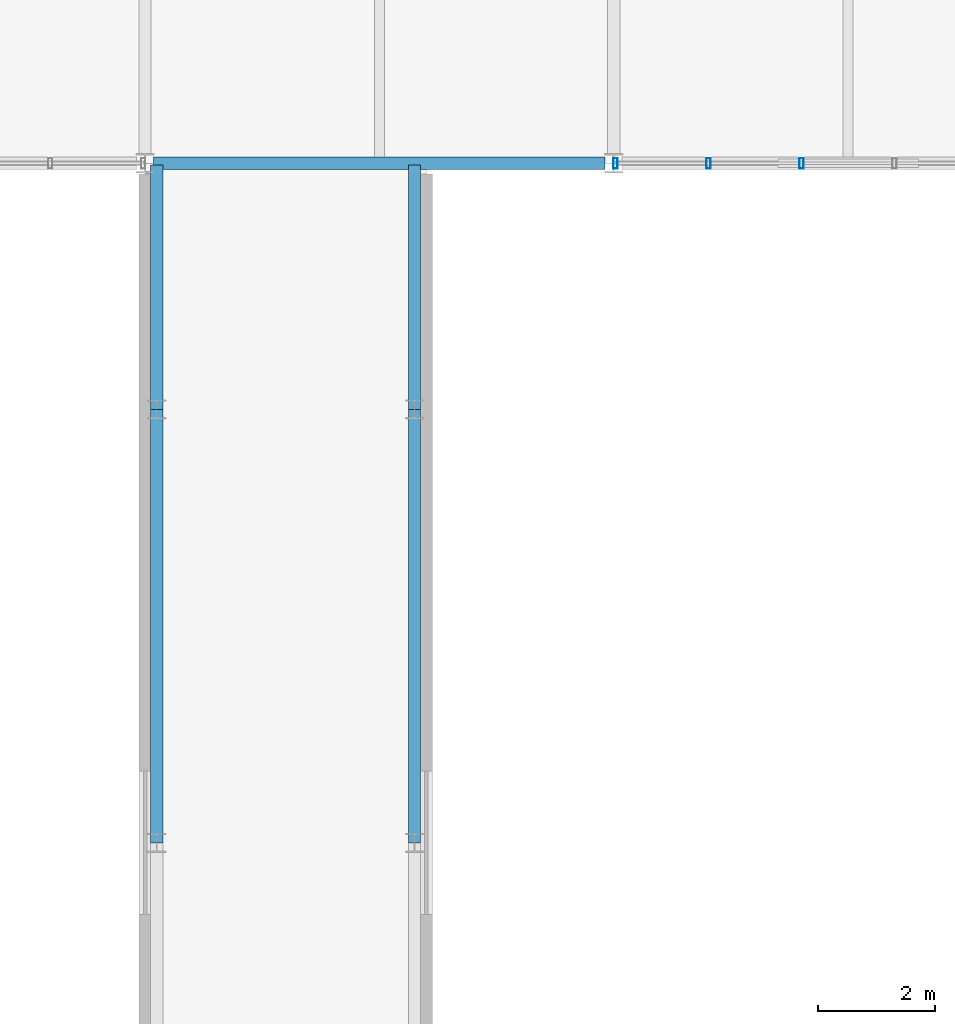
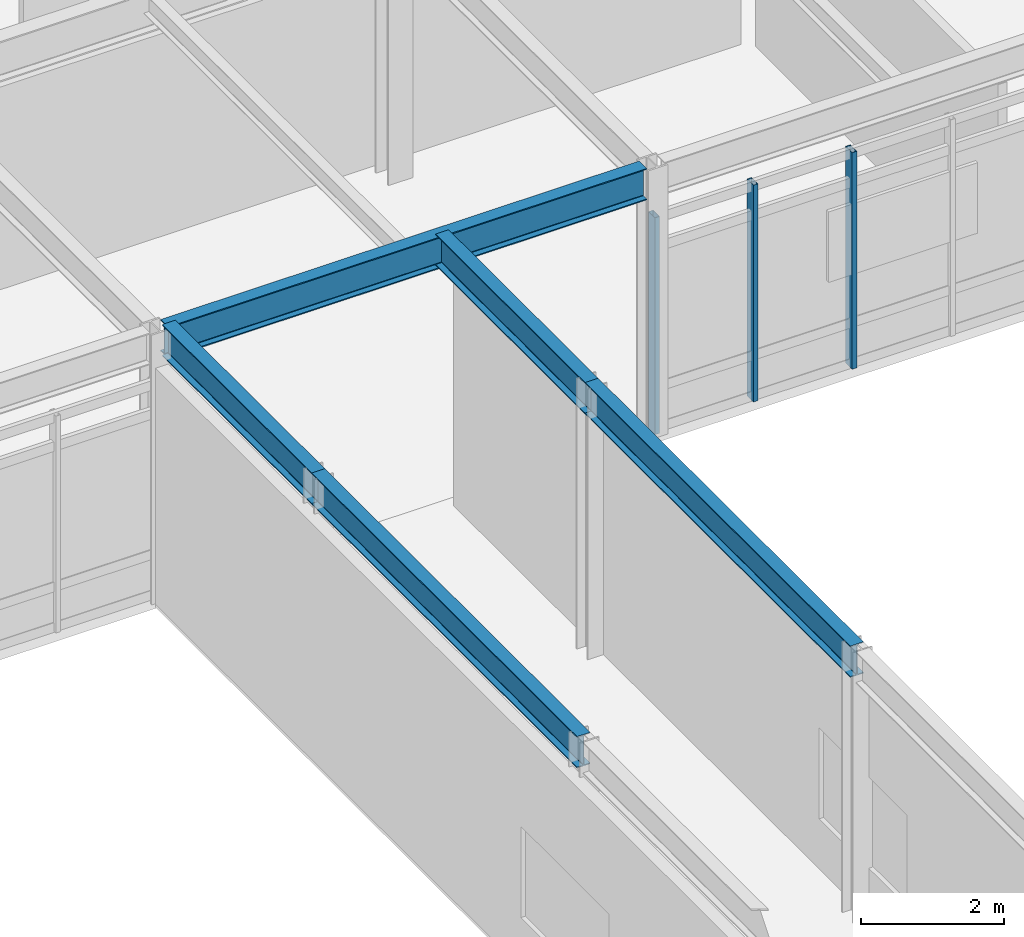
# One storey, part 32 of 104: 5 beams, 3 members, 1 element without a shape of its own.
"""IFC4 building model written with IfcOpenShell, lengths in metres."""

from ifc_helpers import new_model, si_unit, direction, frame, origin, origin_2d, place, context, subcontext, project, spatial, hollow_rectangle, i_section, extrude, material, material_profile, profile_set, type_object, element, aggregate, save


model = new_model("IFC4")

# Units and contexts
model_context = context("Model", 3, precision=1e-05, world=origin(), true_north=direction((0.0, 1.0)))
body_context = subcontext(model_context, "Body", "Model", "MODEL_VIEW")
ifc_project = project(units=[si_unit("LENGTHUNIT", "METRE"), si_unit("AREAUNIT", "SQUARE_METRE"), si_unit("VOLUMEUNIT", "CUBIC_METRE"), si_unit("PLANEANGLEUNIT", "RADIAN"), si_unit("MASSUNIT", "GRAM", prefix="KILO")], contexts=[model_context])

# Site, building, storey
site_placement = place(None, origin())
site = spatial("IfcSite", under=ifc_project, at=site_placement, CompositionType="ELEMENT")
building_placement = place(site_placement, origin())
building = spatial("IfcBuilding", under=site, at=building_placement, Name="Zulena Civic Courthouse", CompositionType="ELEMENT")
storey_placement = place(building_placement, frame((0.0, 0.0, 10.800048828125)))
storey = spatial("IfcBuildingStorey", under=building, at=storey_placement, Name="L02", CompositionType="ELEMENT", Elevation=10.800048828125)

# Beams
ifc_material_1 = material(Name="Steel ASTM A992 Grade 50", Category="steel")
ifc_material_profile_1 = material_profile(ifc_material_1, i_section(OverallWidth=0.2099609375, OverallDepth=0.537109375, WebThickness=0.010986328125, FlangeThickness=0.017333984375, FilletRadius=0.0126953125, at=origin_2d()), Name="W21X68")
ifc_profile_set_1 = profile_set([ifc_material_profile_1], Name="Steel ASTM A992 Grade 50")
beam_type_1 = type_object("IfcBeamType", Name="BridgeGirder_W21X68", PredefinedType="BEAM", material=ifc_profile_set_1)
beam_1_placement = place(storey_placement, frame((52.199951171875, 34.39990234375, 4.33642578125), z_axis=(0.0, 1.0, 0.0), x_axis=(-1.0, 0.0, 0.0)))
element("IfcBeam", 1, at=beam_1_placement, inside=storey, type_object=beam_type_1, Name="beam:bridge:BR-52C:L03:52.20:2", PredefinedType="BEAM", context=body_context, shape_type="SweptSolid", body=[
    extrude(i_section(OverallWidth=0.2099609375, OverallDepth=0.537109375, WebThickness=0.010986328125, FlangeThickness=0.017333984375, FilletRadius=0.0126953125, at=origin_2d()), origin(), (0.0, 0.0, 1.0), 7.400146484375),
])
beam_2_placement = place(storey_placement, frame((52.199951171875, 41.800048828125, 4.33642578125), z_axis=(0.0, 1.0, 0.0), x_axis=(-1.0, 0.0, 0.0)))
element("IfcBeam", 2, at=beam_2_placement, inside=storey, type_object=beam_type_1, Name="beam:bridge:BR-52C:L03:52.20:3", PredefinedType="BEAM", context=body_context, shape_type="SweptSolid", body=[
    extrude(i_section(OverallWidth=0.2099609375, OverallDepth=0.537109375, WebThickness=0.010986328125, FlangeThickness=0.017333984375, FilletRadius=0.0126953125, at=origin_2d()), origin(), (0.0, 0.0, 1.0), 4.169921875),
])
beam_3_placement = place(storey_placement, frame((56.60009765625, 34.39990234375, 4.33642578125), z_axis=(0.0, 1.0, 0.0), x_axis=(-1.0, 0.0, 0.0)))
element("IfcBeam", 3, at=beam_3_placement, inside=storey, type_object=beam_type_1, Name="beam:bridge:BR-52C:L03:56.60:2", PredefinedType="BEAM", context=body_context, shape_type="SweptSolid", body=[
    extrude(i_section(OverallWidth=0.2099609375, OverallDepth=0.537109375, WebThickness=0.010986328125, FlangeThickness=0.017333984375, FilletRadius=0.0126953125, at=origin_2d()), origin(), (0.0, 0.0, 1.0), 7.400146484375),
])
beam_4_placement = place(storey_placement, frame((56.60009765625, 41.800048828125, 4.33642578125), z_axis=(0.0, 1.0, 0.0), x_axis=(-1.0, 0.0, 0.0)))
element("IfcBeam", 4, at=beam_4_placement, inside=storey, type_object=beam_type_1, Name="beam:bridge:BR-52C:L03:56.60:3", PredefinedType="BEAM", context=body_context, shape_type="SweptSolid", body=[
    extrude(i_section(OverallWidth=0.2099609375, OverallDepth=0.537109375, WebThickness=0.010986328125, FlangeThickness=0.017333984375, FilletRadius=0.0126953125, at=origin_2d()), origin(), (0.0, 0.0, 1.0), 4.169921875),
])

# Curtain wall, members
ifc_material_2 = material(Name="Double-silver low-E laminated solar-control glass", Category="glass")
curtain_wall_type = type_object("IfcCurtainWallType", Name="CW_7940x3690", PredefinedType="USERDEFINED", material=ifc_material_2)
curtain_wall_placement = place(storey_placement, origin())
curtain_wall = element("IfcCurtainWall", 5, at=curtain_wall_placement, inside=storey, type_object=curtain_wall_type, Name="cw:V5:L02:5:5", ObjectType="UNITISED CURTAIN WALL", PredefinedType="USERDEFINED")
ifc_material_3 = material(Name="Bronze anodised thermally broken aluminium AA6063-T6", Category="aluminium")
ifc_material_profile_2 = material_profile(ifc_material_3, hollow_rectangle(XDim=0.074951171875, YDim=0.179931640625, WallThickness=0.0048828125, at=origin_2d()), Name="CWM180X75X5")
ifc_profile_set_2 = profile_set([ifc_material_profile_2], Name="Bronze anodised thermally broken aluminium AA6063-T6")
member_type = type_object("IfcMemberType", Name="CWMullion_180x75", PredefinedType="MULLION", material=ifc_profile_set_2)
member_1_placement = place(storey_placement, frame((63.2060546875, 46.0, 0.0), z_axis=(0.0, 0.0, 1.0), x_axis=(1.0, 0.0, 0.0)))
member_1 = element("IfcMember", 6, at=member_1_placement, type_object=member_type, Name="cw:V5:L02:5:5:mull:3", PredefinedType="MULLION", context=body_context, shape_type="SweptSolid", body=[
    extrude(hollow_rectangle(XDim=0.074951171875, YDim=0.179931640625, WallThickness=0.0048828125, at=origin_2d()), origin(), (0.0, 0.0, 1.0), 3.68994140625),
])
member_2_placement = place(storey_placement, frame((61.617919921875, 46.0, 0.0), z_axis=(0.0, 0.0, 1.0), x_axis=(1.0, 0.0, 0.0)))
member_2 = element("IfcMember", 7, at=member_2_placement, type_object=member_type, Name="cw:V5:L02:5:5:mull:4", PredefinedType="MULLION", context=body_context, shape_type="SweptSolid", body=[
    extrude(hollow_rectangle(XDim=0.074951171875, YDim=0.179931640625, WallThickness=0.0048828125, at=origin_2d()), origin(), (0.0, 0.0, 1.0), 3.68994140625),
])
member_3_placement = place(storey_placement, frame((60.030029296875, 46.0, 0.0), z_axis=(0.0, 0.0, 1.0), x_axis=(1.0, 0.0, 0.0)))
member_3 = element("IfcMember", 8, at=member_3_placement, type_object=member_type, Name="cw:V5:L02:5:5:mull:5", PredefinedType="MULLION", context=body_context, shape_type="SweptSolid", body=[
    extrude(hollow_rectangle(XDim=0.074951171875, YDim=0.179931640625, WallThickness=0.0048828125, at=origin_2d()), origin(), (0.0, 0.0, 1.0), 3.68994140625),
])
aggregate(curtain_wall, [member_1, member_2, member_3])

# Beam
ifc_material_profile_3 = material_profile(ifc_material_1, i_section(OverallWidth=0.2099609375, OverallDepth=0.537109375, WebThickness=0.010986328125, FlangeThickness=0.017333984375, FilletRadius=0.0126953125, at=origin_2d()), Name="W21X68")
ifc_profile_set_3 = profile_set([ifc_material_profile_3], Name="Steel ASTM A992 Grade 50")
beam_type_2 = type_object("IfcBeamType", Name="Spandrel_W21X68", PredefinedType="SPANDREL", material=ifc_profile_set_3)
beam_5_placement = place(storey_placement, frame((52.14501953125, 46.0, 4.321533203125), z_axis=(1.0, 0.0, 0.0), x_axis=(0.0, 1.0, 0.0)))
element("IfcBeam", 9, at=beam_5_placement, inside=storey, type_object=beam_type_2, Name="beam:X:V5:L02:46.0:52.0_60.0", PredefinedType="SPANDREL", context=body_context, shape_type="SweptSolid", body=[
    extrude(i_section(OverallWidth=0.2099609375, OverallDepth=0.537109375, WebThickness=0.010986328125, FlangeThickness=0.017333984375, FilletRadius=0.0126953125, at=origin_2d()), origin(), (0.0, 0.0, 1.0), 7.7099609375),
])

save(model, "model.ifc")
